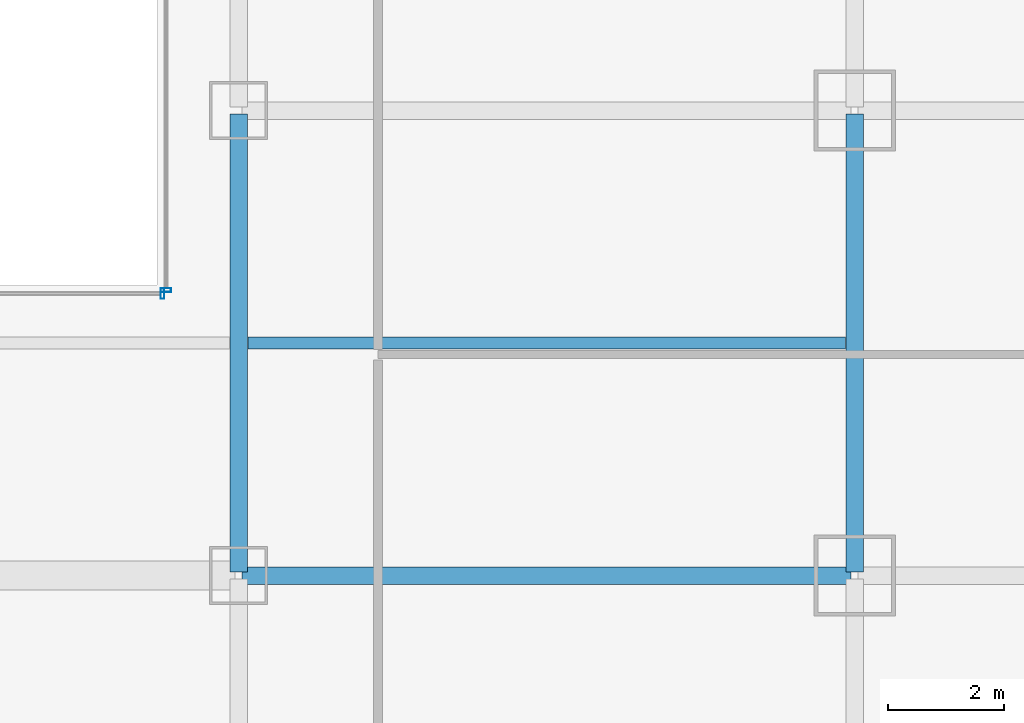
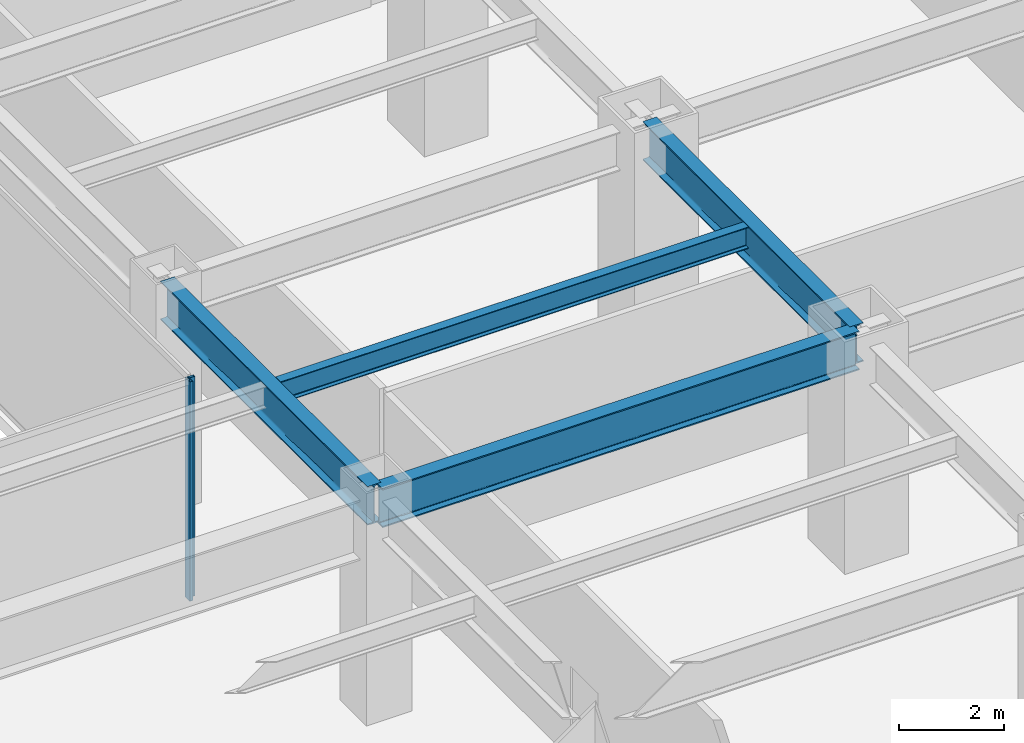
# One storey, part 19 of 52: 4 beams, 2 members, 2 elements without a shape of their own.
"""IFC4 building model written with IfcOpenShell, lengths in metres."""

from ifc_helpers import new_model, si_unit, direction, frame, origin, origin_2d, place, context, subcontext, project, spatial, hollow_rectangle, i_section, extrude, material, material_profile, profile_set, type_object, element, aggregate, save


model = new_model("IFC4")

# Units and contexts
model_context = context("Model", 3, precision=1e-05, world=origin(), true_north=direction((0.0, 1.0)))
body_context = subcontext(model_context, "Body", "Model", "MODEL_VIEW")
ifc_project = project(units=[si_unit("LENGTHUNIT", "METRE"), si_unit("AREAUNIT", "SQUARE_METRE"), si_unit("VOLUMEUNIT", "CUBIC_METRE"), si_unit("PLANEANGLEUNIT", "RADIAN"), si_unit("MASSUNIT", "GRAM", prefix="KILO")], contexts=[model_context])

# Site, building, storey
site_placement = place(None, origin())
site = spatial("IfcSite", under=ifc_project, at=site_placement, CompositionType="ELEMENT")
building_placement = place(site_placement, origin())
building = spatial("IfcBuilding", under=site, at=building_placement, Name="Saevonmaru Cultural Tower", CompositionType="ELEMENT")
storey_placement = place(building_placement, frame((0.0, 0.0, 11.39990234375)))
storey = spatial("IfcBuildingStorey", under=building, at=storey_placement, Name="L02", CompositionType="ELEMENT", Elevation=11.39990234375)

# Beams
ifc_material_1 = material(Name="Steel SM420", Category="steel")
ifc_material_profile_1 = material_profile(ifc_material_1, i_section(OverallWidth=0.300048828125, OverallDepth=0.89990234375, WebThickness=0.01611328125, FlangeThickness=0.028076171875, FilletRadius=0.028076171875, at=origin_2d()), Name="H-900x300x16x28")
ifc_profile_set_1 = profile_set([ifc_material_profile_1], Name="Steel SM420")
beam_type_1 = type_object("IfcBeamType", Name="BM-G-H900", PredefinedType="BEAM", material=ifc_profile_set_1)
for number, where, z_axis, x_axis, name in (
    (1, (37.199951171875, 16.06005859375, 4.650146484375), (0.0, 1.0, 0.0), (-1.0, 0.0, 0.0), "L02 Podium Girder NS3-3"),
    (2, (47.800048828125, 16.06005859375, 4.650146484375), (0.0, 1.0, 0.0), (-1.0, 0.0, 0.0), "L02 Podium Girder NS4-3"),
):
    element("IfcBeam", number, at=place(storey_placement, frame(where, z_axis=z_axis, x_axis=x_axis)), inside=storey, type_object=beam_type_1, Name=name, PredefinedType="BEAM", context=body_context, shape_type="SweptSolid", body=[
        extrude(i_section(OverallWidth=0.300048828125, OverallDepth=0.89990234375, WebThickness=0.01611328125, FlangeThickness=0.028076171875, FilletRadius=0.028076171875, at=origin_2d()), origin(), (0.0, 0.0, 1.0), 7.8798828125),
    ])
beam_1_placement = place(storey_placement, frame((37.260009765625, 16.0, 4.650146484375), z_axis=(1.0, 0.0, 0.0), x_axis=(0.0, 1.0, 0.0)))
element("IfcBeam", 3, at=beam_1_placement, inside=storey, type_object=beam_type_1, Name="L02 Gallery Girder E-2", PredefinedType="BEAM", context=body_context, shape_type="SweptSolid", body=[
    extrude(i_section(OverallWidth=0.300048828125, OverallDepth=0.89990234375, WebThickness=0.01611328125, FlangeThickness=0.028076171875, FilletRadius=0.028076171875, at=origin_2d()), origin(), (0.0, 0.0, 1.0), 10.47998046875),
])
ifc_material_2 = material(Name="Steel SM355", Category="steel")
ifc_material_profile_2 = material_profile(ifc_material_2, i_section(OverallWidth=0.199951171875, OverallDepth=0.5, WebThickness=0.010009765625, FlangeThickness=0.01611328125, FilletRadius=0.02001953125, at=origin_2d()), Name="H-500x200x10x16")
ifc_profile_set_2 = profile_set([ifc_material_profile_2], Name="Steel SM355")
beam_type_2 = type_object("IfcBeamType", Name="BM-J-H500", PredefinedType="JOIST", material=ifc_profile_set_2)
beam_2_placement = place(storey_placement, frame((37.35791015625, 20.0, 4.85009765625), z_axis=(1.0, 0.0, 0.0), x_axis=(0.0, 1.0, 0.0)))
element("IfcBeam", 4, at=beam_2_placement, inside=storey, type_object=beam_type_2, Name="L02 Secondary Floor Joist JE-2", PredefinedType="JOIST", context=body_context, shape_type="SweptSolid", body=[
    extrude(i_section(OverallWidth=0.199951171875, OverallDepth=0.5, WebThickness=0.010009765625, FlangeThickness=0.01611328125, FilletRadius=0.02001953125, at=origin_2d()), origin(), (0.0, 0.0, 1.0), 10.2841796875),
])

# Curtain wall, member
ifc_material_3 = material(Name="Satin Bronze Anodised Aluminium", Category="aluminium")
curtain_wall_type = type_object("IfcCurtainWallType", Name="CW-ATR-GLZ", PredefinedType="NOTDEFINED", material=ifc_material_3)
curtain_wall_1_placement = place(storey_placement, origin())
curtain_wall_1 = element("IfcCurtainWall", 5, at=curtain_wall_1_placement, inside=storey, type_object=curtain_wall_type, Name="L02 Vertical Atrium Glazed Smoke Screen 1", PredefinedType="NOTDEFINED")
ifc_material_profile_3 = material_profile(ifc_material_3, hollow_rectangle(XDim=0.06494140625, YDim=0.179931640625, WallThickness=0.00390625, at=origin_2d()), Name="ALU-MULL-180x65x4")
ifc_profile_set_3 = profile_set([ifc_material_profile_3], Name="Satin Bronze Anodised Aluminium")
member_type = type_object("IfcMemberType", Name="ML-CW-INT-180x65", PredefinedType="MULLION", material=ifc_profile_set_3)
member_1_placement = place(storey_placement, frame((35.889892578125, 20.85009765625, 0.0), z_axis=(0.0, 0.0, 1.0), x_axis=(1.0, 0.0, 0.0)))
member_1 = element("IfcMember", 6, at=member_1_placement, type_object=member_type, Name="CW-ATR-L02-1 mullion 2", PredefinedType="MULLION", context=body_context, shape_type="SweptSolid", body=[
    extrude(hollow_rectangle(XDim=0.06494140625, YDim=0.179931640625, WallThickness=0.00390625, at=origin_2d()), origin(), (0.0, 0.0, 1.0), 5.10009765625),
])
aggregate(curtain_wall_1, [member_1])

curtain_wall_2_placement = place(storey_placement, origin())
curtain_wall_2 = element("IfcCurtainWall", 7, at=curtain_wall_2_placement, inside=storey, type_object=curtain_wall_type, Name="L02 Vertical Atrium Glazed Smoke Screen 2", PredefinedType="NOTDEFINED")
member_2_placement = place(storey_placement, frame((35.949951171875, 20.909912109375, 0.0), z_axis=(0.0, 0.0, 1.0), x_axis=(0.0, 1.0, 0.0)))
member_2 = element("IfcMember", 8, at=member_2_placement, type_object=member_type, Name="CW-ATR-L02-2 mullion 1", PredefinedType="MULLION", context=body_context, shape_type="SweptSolid", body=[
    extrude(hollow_rectangle(XDim=0.06494140625, YDim=0.179931640625, WallThickness=0.00390625, at=origin_2d()), origin(), (0.0, 0.0, 1.0), 5.10009765625),
])
aggregate(curtain_wall_2, [member_2])

save(model, "model.ifc")
